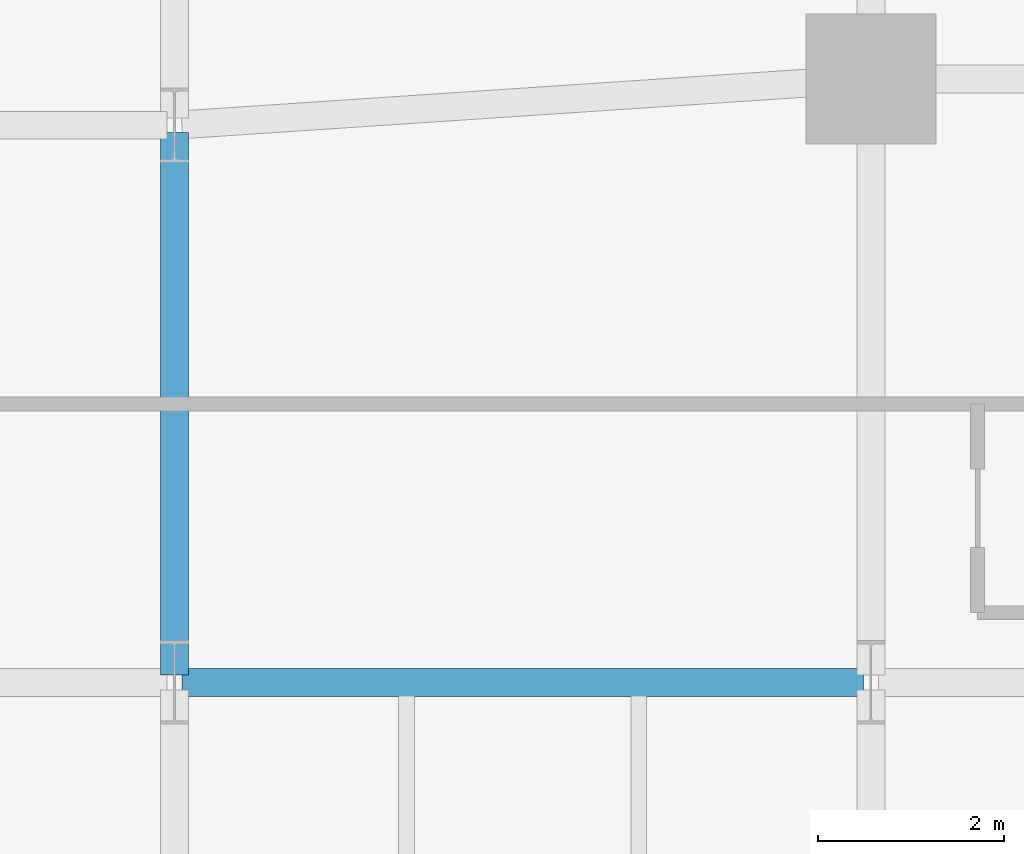
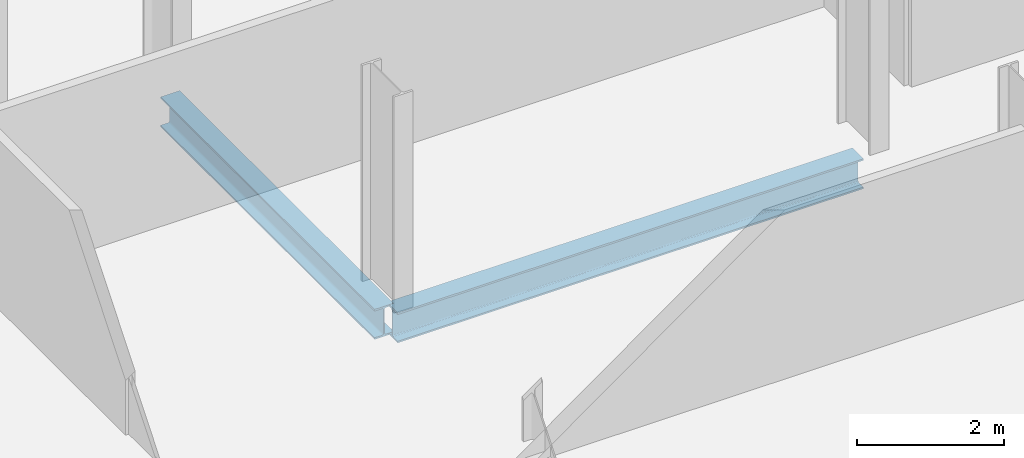
# One storey, part 10 of 33: 2 beams.
"""IFC4 building model written with IfcOpenShell, lengths in metres."""

from ifc_helpers import new_model, si_unit, direction, frame, origin, origin_2d, place, context, subcontext, project, spatial, i_section, extrude, material, material_profile, profile_set, type_object, element, save


model = new_model("IFC4")

# Units and contexts
model_context = context("Model", 3, precision=1e-05, world=origin(), true_north=direction((0.0, 1.0)))
body_context = subcontext(model_context, "Body", "Model", "MODEL_VIEW")
ifc_project = project(units=[si_unit("LENGTHUNIT", "METRE"), si_unit("AREAUNIT", "SQUARE_METRE"), si_unit("VOLUMEUNIT", "CUBIC_METRE"), si_unit("PLANEANGLEUNIT", "RADIAN"), si_unit("MASSUNIT", "GRAM", prefix="KILO")], contexts=[model_context])

# Site, building, storey
site_placement = place(None, origin())
site = spatial("IfcSite", under=ifc_project, at=site_placement, CompositionType="ELEMENT")
building_placement = place(site_placement, origin())
building = spatial("IfcBuilding", under=site, at=building_placement, Name="Catumbela Crestline Tower", CompositionType="ELEMENT")
storey_placement = place(building_placement, frame((0.0, 0.0, 54.6)))
storey = spatial("IfcBuildingStorey", under=building, at=storey_placement, Name="L13", CompositionType="ELEMENT", Elevation=54.6)

# Beams
ifc_material = material(Name="Structural steel S355J2", Category="steel")
ifc_material_profile = material_profile(ifc_material, i_section(OverallWidth=0.3, OverallDepth=0.5, WebThickness=0.0145, FlangeThickness=0.028, FilletRadius=0.027, at=origin_2d()), Name="HEB 500")
ifc_profile_set = profile_set([ifc_material_profile], Name="Structural steel S355J2")
beam_type = type_object("IfcBeamType", Name="BG-HEB500", PredefinedType="BEAM", material=ifc_profile_set)
beam_1_placement = place(storey_placement, frame((8.58, 18.0, -0.51), z_axis=(1.0, 0.0, 0.0), x_axis=(0.0, 1.0, 0.0)))
element("IfcBeam", 1, at=beam_1_placement, inside=storey, type_object=beam_type, Name="L13 Beam BM-L13-WEW55", PredefinedType="BEAM", context=body_context, shape_type="SweptSolid", body=[
    extrude(i_section(OverallWidth=0.3, OverallDepth=0.5, WebThickness=0.0145, FlangeThickness=0.028, FilletRadius=0.027, at=origin_2d()), origin(), (0.0, 0.0, 1.0), 7.34),
])
beam_2_placement = place(storey_placement, frame((8.5, 18.08, -0.51), z_axis=(0.0, 1.0, 0.0), x_axis=(-1.0, 0.0, 0.0)))
element("IfcBeam", 2, at=beam_2_placement, inside=storey, type_object=beam_type, Name="L13 Beam BM-L13-WNS63", PredefinedType="BEAM", context=body_context, shape_type="SweptSolid", body=[
    extrude(i_section(OverallWidth=0.3, OverallDepth=0.5, WebThickness=0.0145, FlangeThickness=0.028, FilletRadius=0.027, at=origin_2d()), origin(), (0.0, 0.0, 1.0), 5.84),
])

save(model, "model.ifc")
